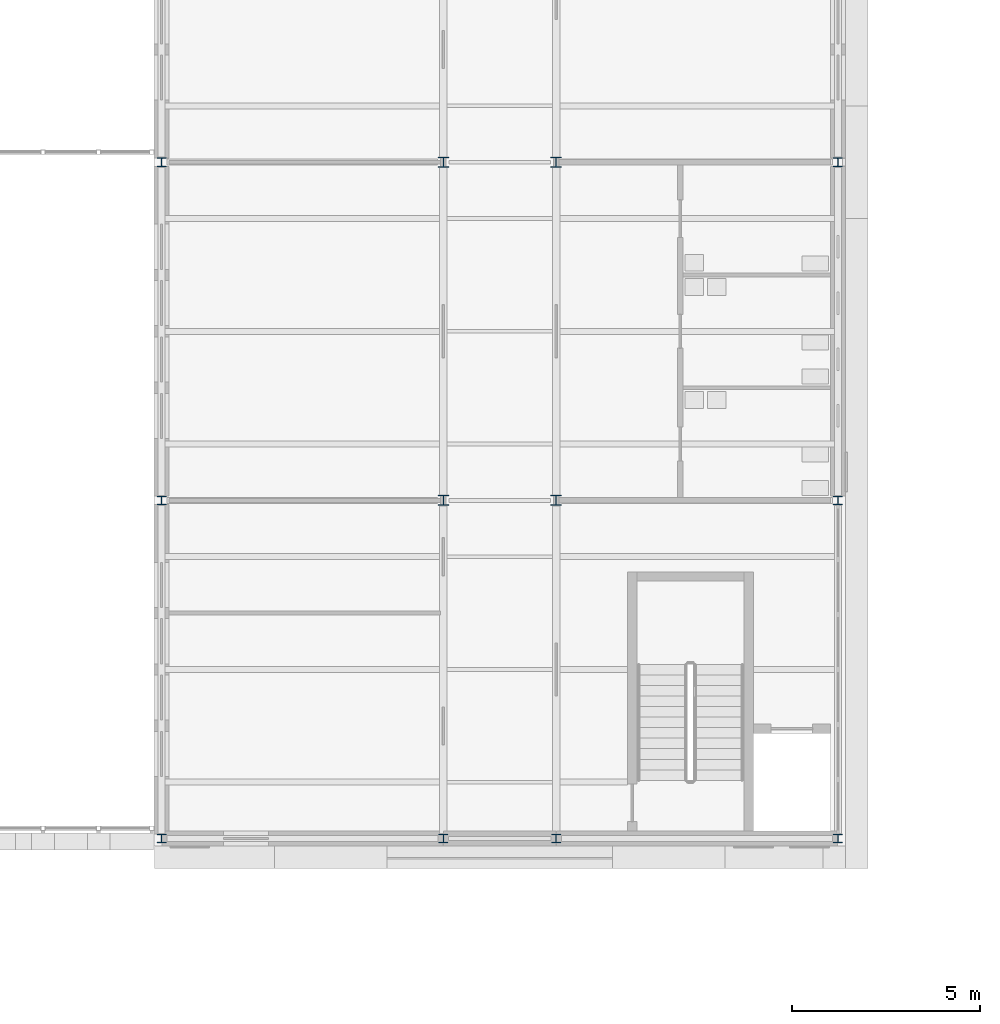
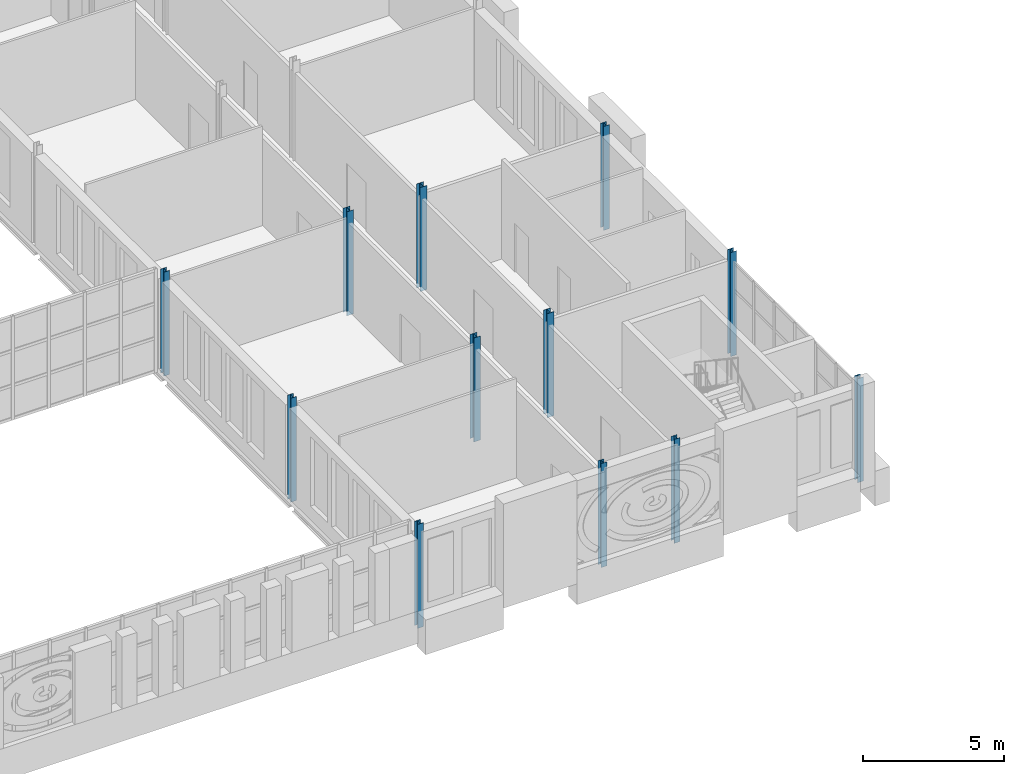
# One storey, part 6 of 131: 12 columns.
"""IFC4 building model written with IfcOpenShell, lengths in metres."""

from ifc_helpers import new_model, si_unit, direction, frame, origin, origin_2d, place, context, subcontext, project, spatial, i_section, extrude, material, material_profile, profile_set, type_object, element, save


model = new_model("IFC4")

# Units and contexts
model_context = context("Model", 3, precision=1e-05, world=origin(), true_north=direction((0.0, 1.0)))
body_context = subcontext(model_context, "Body", "Model", "MODEL_VIEW")
ifc_project = project(units=[si_unit("LENGTHUNIT", "METRE"), si_unit("AREAUNIT", "SQUARE_METRE"), si_unit("VOLUMEUNIT", "CUBIC_METRE"), si_unit("PLANEANGLEUNIT", "RADIAN"), si_unit("MASSUNIT", "GRAM", prefix="KILO")], contexts=[model_context])

# Site, building, storey
site_placement = place(None, origin())
site = spatial("IfcSite", under=ifc_project, at=site_placement, CompositionType="ELEMENT")
building_placement = place(site_placement, origin())
building = spatial("IfcBuilding", under=site, at=building_placement, Name="Golden Quay Civic Hall", CompositionType="ELEMENT")
storey_placement = place(building_placement, frame((0.0, 0.0, 9.89990234375)))
storey = spatial("IfcBuildingStorey", under=building, at=storey_placement, Name="L02", CompositionType="ELEMENT", Elevation=9.89990234375)

# Columns
ifc_material_1 = material(Name="Steel S355", Category="steel")
ifc_material_profile_1 = material_profile(ifc_material_1, i_section(OverallWidth=0.239990234375, OverallDepth=0.22998046875, WebThickness=0.007568359375, FlangeThickness=0.011962890625, FilletRadius=0.02099609375, at=origin_2d()), Name="HEA 240")
ifc_profile_set_1 = profile_set([ifc_material_profile_1], Name="Steel S355")
column_type_1 = type_object("IfcColumnType", Name="Steel column HEA 240", PredefinedType="COLUMN", material=ifc_profile_set_1)
for number, where, z_axis, x_axis, name in (
    (1, (99.0, 0.0, -0.199951171875), (0.0, 0.0, 1.0), (1.0, 0.0, 0.0), "Column 99/0 L02"),
    (2, (99.0, 9.0, -0.199951171875), (0.0, 0.0, 1.0), (1.0, 0.0, 0.0), "Column 99/9 L02"),
    (3, (99.0, 18.0, -0.199951171875), (0.0, 0.0, 1.0), (1.0, 0.0, 0.0), "Column 99/18 L02"),
    (4, (106.5, 0.0, -0.199951171875), (0.0, 0.0, 1.0), (1.0, 0.0, 0.0), "Column 106.5/0 L02"),
    (5, (109.5, 0.0, -0.199951171875), (0.0, 0.0, 1.0), (1.0, 0.0, 0.0), "Column 109.5/0 L02"),
    (6, (117.0, 0.0, -0.199951171875), (0.0, 0.0, 1.0), (1.0, 0.0, 0.0), "Column 117/0 L02"),
    (7, (117.0, 9.0, -0.199951171875), (0.0, 0.0, 1.0), (1.0, 0.0, 0.0), "Column 117/9 L02"),
    (8, (117.0, 18.0, -0.199951171875), (0.0, 0.0, 1.0), (1.0, 0.0, 0.0), "Column 117/18 L02"),
):
    element("IfcColumn", number, at=place(storey_placement, frame(where, z_axis=z_axis, x_axis=x_axis)), inside=storey, type_object=column_type_1, Name=name, PredefinedType="COLUMN", context=body_context, shape_type="SweptSolid", body=[
        extrude(i_section(OverallWidth=0.239990234375, OverallDepth=0.22998046875, WebThickness=0.007568359375, FlangeThickness=0.011962890625, FilletRadius=0.02099609375, at=origin_2d()), origin(), (0.0, 0.0, 1.0), 4.5),
    ])
ifc_material_2 = material(Name="Steel S355", Category="steel")
ifc_material_profile_2 = material_profile(ifc_material_2, i_section(OverallWidth=0.280029296875, OverallDepth=0.27001953125, WebThickness=0.008056640625, FlangeThickness=0.012939453125, FilletRadius=0.02392578125, at=origin_2d()), Name="HEA 280")
ifc_profile_set_2 = profile_set([ifc_material_profile_2], Name="Steel S355")
column_type_2 = type_object("IfcColumnType", Name="Steel column HEA 280", PredefinedType="COLUMN", material=ifc_profile_set_2)
for number, where, z_axis, x_axis, name in (
    (9, (106.5, 9.0, -0.199951171875), (0.0, 0.0, 1.0), (1.0, 0.0, 0.0), "Column 106.5/9 L02"),
    (10, (106.5, 18.0, -0.199951171875), (0.0, 0.0, 1.0), (1.0, 0.0, 0.0), "Column 106.5/18 L02"),
    (11, (109.5, 9.0, -0.199951171875), (0.0, 0.0, 1.0), (1.0, 0.0, 0.0), "Column 109.5/9 L02"),
    (12, (109.5, 18.0, -0.199951171875), (0.0, 0.0, 1.0), (1.0, 0.0, 0.0), "Column 109.5/18 L02"),
):
    element("IfcColumn", number, at=place(storey_placement, frame(where, z_axis=z_axis, x_axis=x_axis)), inside=storey, type_object=column_type_2, Name=name, PredefinedType="COLUMN", context=body_context, shape_type="SweptSolid", body=[
        extrude(i_section(OverallWidth=0.280029296875, OverallDepth=0.27001953125, WebThickness=0.008056640625, FlangeThickness=0.012939453125, FilletRadius=0.02392578125, at=origin_2d()), origin(), (0.0, 0.0, 1.0), 4.5),
    ])

save(model, "model.ifc")
